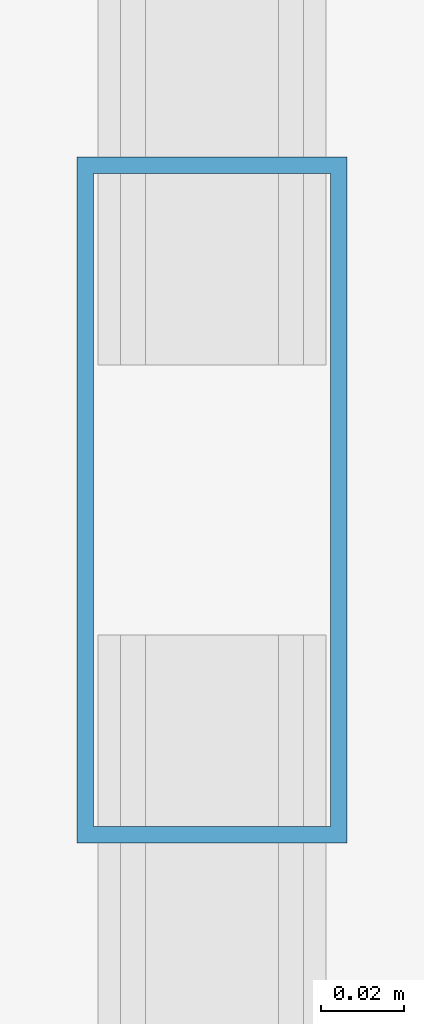
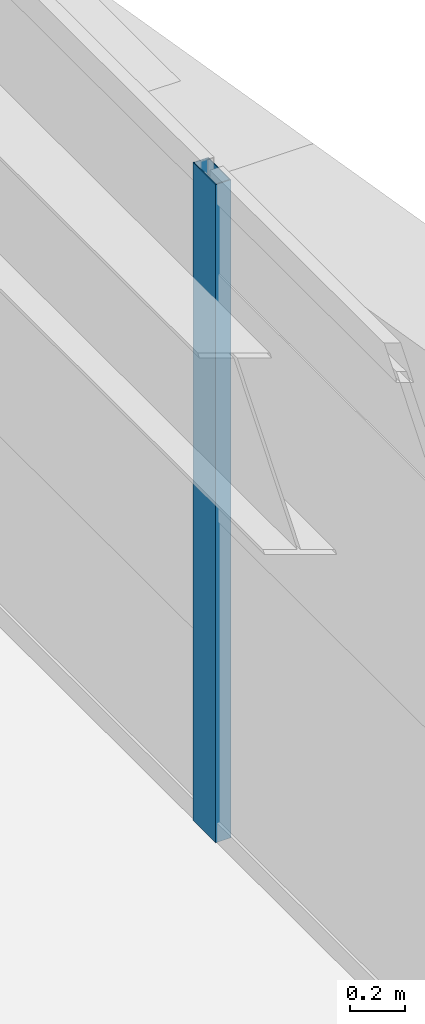
# One storey, part 26 of 58: 1 member, 1 element without a shape of its own.
"""IFC4 building model written with IfcOpenShell, lengths in metres."""

from ifc_helpers import new_model, si_unit, direction, frame, origin, origin_2d, place, context, subcontext, project, spatial, hollow_rectangle, extrude, source, transform, mapped, material, layer, layer_set, material_profile, profile_set, type_object, element, aggregate, save


model = new_model("IFC4")

# Units and contexts
model_context = context("Model", 3, precision=1e-05, world=origin(), true_north=direction((0.0, 1.0)))
body_context = subcontext(model_context, "Body", "Model", "MODEL_VIEW")
ifc_project = project(units=[si_unit("LENGTHUNIT", "METRE"), si_unit("AREAUNIT", "SQUARE_METRE"), si_unit("VOLUMEUNIT", "CUBIC_METRE"), si_unit("PLANEANGLEUNIT", "RADIAN"), si_unit("MASSUNIT", "GRAM", prefix="KILO")], contexts=[model_context])

# Site, building, storey
site_placement = place(None, origin())
site = spatial("IfcSite", under=ifc_project, at=site_placement, CompositionType="ELEMENT")
building_placement = place(site_placement, origin())
building = spatial("IfcBuilding", under=site, at=building_placement, Name="Taldren Reach Tower", CompositionType="ELEMENT")
storey_placement = place(building_placement, frame((0.0, 0.0, 32.550048828125)))
storey = spatial("IfcBuildingStorey", under=building, at=storey_placement, Name="L09", CompositionType="ELEMENT", Elevation=32.550048828125)

# Curtain wall, member
ifc_material_1 = material(Name="Aluminium and Low-E Glass Unitised System", Category="aluminium")
ifc_layer = layer(ifc_material_1, 0.159912109375)
ifc_layer_set = layer_set([ifc_layer], Name="Aluminium and Low-E Glass Unitised System")
curtain_wall_type = type_object("IfcCurtainWallType", Name="CW-SYS-2", PredefinedType="NOTDEFINED", material=ifc_layer_set)
curtain_wall_placement = place(storey_placement, origin())
curtain_wall = element("IfcCurtainWall", 1, at=curtain_wall_placement, inside=storey, type_object=curtain_wall_type, Name="Unitised curtain wall CW-L09-E", PredefinedType="NOTDEFINED")
ifc_material_2 = material(Name="Anodised Aluminium 6063-T6", Category="aluminium")
ifc_material_profile = material_profile(ifc_material_2, hollow_rectangle(XDim=0.06494140625, YDim=0.1650390625, WallThickness=0.00390625, at=origin_2d()), Name="ALU-165x65x4RHS")
ifc_profile_set = profile_set([ifc_material_profile], Name="Anodised Aluminium 6063-T6")
member_type = type_object("IfcMemberType", Name="CW-MUL-165", PredefinedType="MULLION", material=ifc_profile_set)
shared_shape = source(origin(), body_context, "Body", "SweptSolid", [
    extrude(hollow_rectangle(XDim=0.06494140625, YDim=0.1650390625, WallThickness=0.00390625, at=origin_2d()), origin(), (0.0, 0.0, 1.0), 2.929931640625),
])
member_placement = place(storey_placement, frame((64.860107421875, 11.388916015625, 0.0), z_axis=(0.0, 0.0, 1.0), x_axis=(-1.0, 0.0, 0.0)))
member = element("IfcMember", 2, at=member_placement, type_object=member_type, Name="CW-2 mullion 3", PredefinedType="MULLION", context=body_context, shape_type="MappedRepresentation", body=[
    mapped(shared_shape, transform((0.0, 0.0, 0.0), scale=1.0)),
])
aggregate(curtain_wall, [member])

save(model, "model.ifc")
